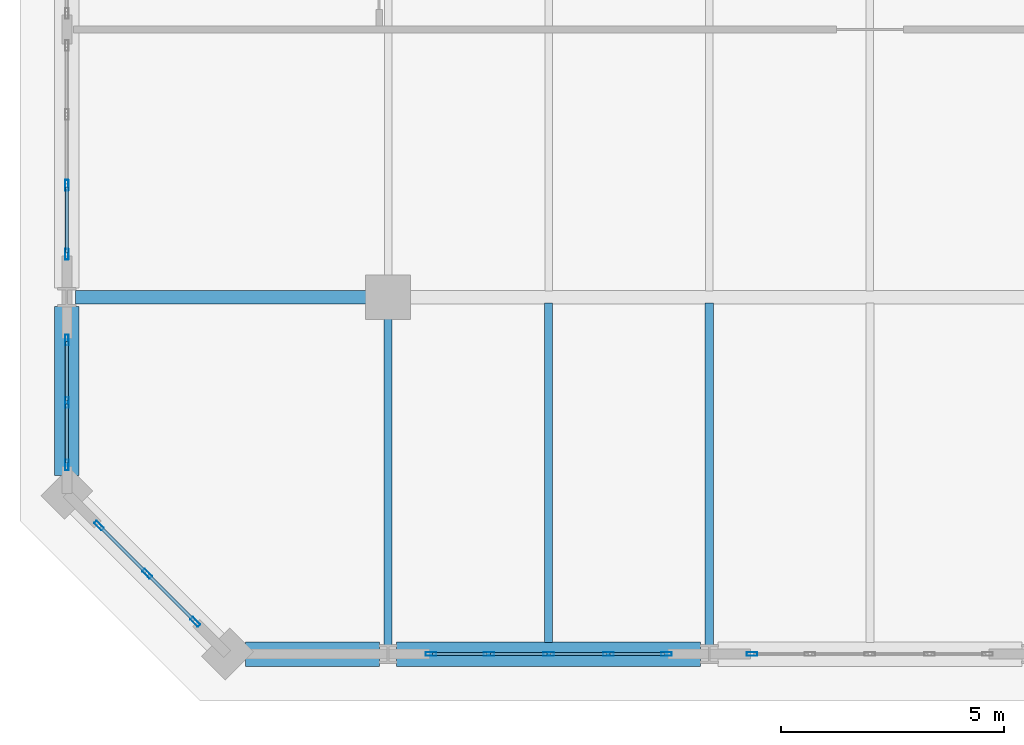
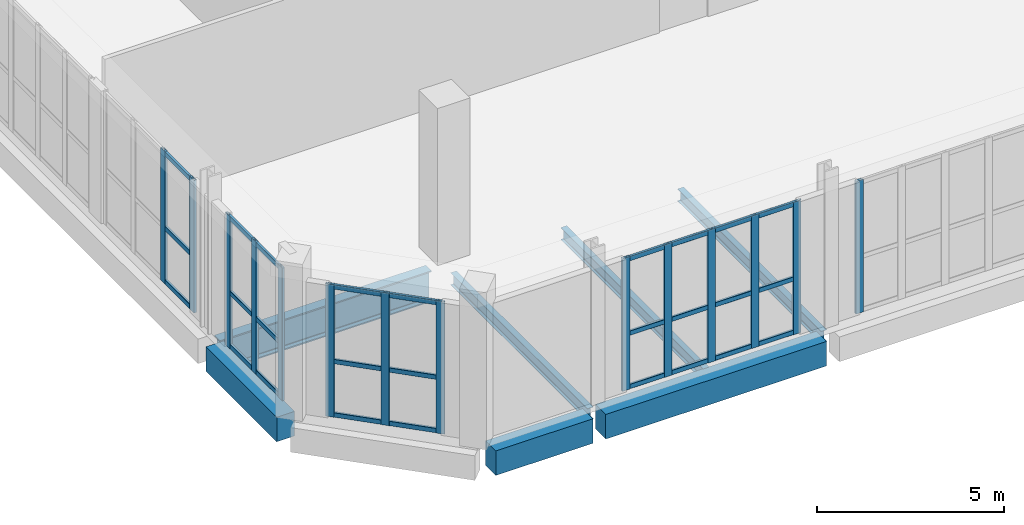
# One storey, part 2 of 26: 41 members, 7 beams, 5 elements without a shape of their own.
"""IFC4 building model written with IfcOpenShell, lengths in metres."""

import ifcopenshell
import ifcopenshell.guid

model = None  # the IFC model being written
_history = None  # IfcOwnerHistory: only IFC2X3 demands one
_inside = {}  # id of a spatial element -> (the spatial element, [elements in it])
_under = {}  # id of a project, library or spatial element -> (it, [spatial elements below it])
_declared = {}  # id of a project -> (the project, [libraries it declares])
_typed = {}  # id of a type object -> (the type object, [elements of that type])
_made_of = {}  # id of a material, layer set ... -> (it, [elements and type objects made of it])


def new_model(schema):
    """Start an empty IFC model of exactly this schema.

    Asked for "IFC4X3", IfcOpenShell would pick the latest addendum, in which some entities
    have other attributes; the version numbers below select the first issue.
    IFC2X3 requires an IfcOwnerHistory on every rooted entity: one is made here for all.
    """
    global model, _history
    if schema == "IFC4X3":
        model = ifcopenshell.file(schema_version=(4, 3, 0, 0))
    else:
        model = ifcopenshell.file(schema=schema)
    _inside.clear()
    _under.clear()
    _declared.clear()
    _typed.clear()
    _made_of.clear()
    _history = None
    if model.schema == "IFC2X3":
        org = make("IfcOrganization", Name="unknown")
        user = make(
            "IfcPersonAndOrganization",
            ThePerson=make("IfcPerson", FamilyName="unknown"),
            TheOrganization=org,
        )
        app = make(
            "IfcApplication",
            ApplicationDeveloper=org,
            Version="unknown",
            ApplicationFullName="unknown",
            ApplicationIdentifier="unknown",
        )
        _history = make(
            "IfcOwnerHistory",
            OwningUser=user,
            OwningApplication=app,
            ChangeAction="ADDED",
            CreationDate=0,
        )
    return model


def make(cls, **values):
    """One entity of the class cls with the attributes given. An attribute that is None is left unset."""
    return model.create_entity(
        cls, **{name: value for name, value in values.items() if value is not None}
    )


def rooted(cls, **values):
    """An entity with a GlobalId (a new one), such as an element, a storey or a relation."""
    return make(cls, GlobalId=ifcopenshell.guid.new(), OwnerHistory=_history, **values)


def si_unit(unit_type, name, prefix=None):
    """IfcSIUnit, for example si_unit("LENGTHUNIT", "METRE", prefix="MILLI")."""
    return make("IfcSIUnit", UnitType=unit_type, Prefix=prefix, Name=name)


def assignment(units):
    """IfcUnitAssignment: the units of a project."""
    return None if units is None else make("IfcUnitAssignment", Units=units)


def point(xyz):
    """IfcCartesianPoint."""
    return None if xyz is None else make("IfcCartesianPoint", Coordinates=xyz)


def direction(xyz):
    """IfcDirection."""
    return None if xyz is None else make("IfcDirection", DirectionRatios=xyz)


def frame(location, z_axis=None, x_axis=None):
    """IfcAxis2Placement3D, a coordinate frame: its origin and axes. An axis left out is left unset."""
    return make(
        "IfcAxis2Placement3D",
        Location=point(location),
        Axis=direction(z_axis),
        RefDirection=direction(x_axis),
    )


def frame_2d(location, x_axis=None):
    """IfcAxis2Placement2D, a coordinate frame in the plane: its origin and x axis."""
    return make(
        "IfcAxis2Placement2D", Location=point(location), RefDirection=direction(x_axis)
    )


def origin():
    """The frame at (0, 0, 0) with its axes left unset."""
    return frame((0.0, 0.0, 0.0))


def origin_2d():
    """The frame at (0, 0) in the plane with its x axis left unset."""
    return frame_2d((0.0, 0.0))


def place(relative_to, where):
    """IfcLocalPlacement: puts the frame where relative to a parent placement (None: the world)."""
    return make(
        "IfcLocalPlacement", PlacementRelTo=relative_to, RelativePlacement=where
    )


def context(
    kind, dimensions, precision=None, world=None, true_north=None, identifier=None
):
    """IfcGeometricRepresentationContext, for example the 3D "Model" context."""
    return make(
        "IfcGeometricRepresentationContext",
        ContextIdentifier=identifier,
        ContextType=kind,
        CoordinateSpaceDimension=dimensions,
        Precision=precision,
        WorldCoordinateSystem=world,
        TrueNorth=true_north,
    )


def subcontext(parent, identifier, kind, view, scale=None):
    """IfcGeometricRepresentationSubContext, for example "Body" below "Model"."""
    return make(
        "IfcGeometricRepresentationSubContext",
        ContextIdentifier=identifier,
        ContextType=kind,
        ParentContext=parent,
        TargetScale=scale,
        TargetView=view,
    )


def project(units=None, contexts=None):
    """IfcProject with its units and contexts."""
    return rooted(
        "IfcProject",
        Name="project",
        RepresentationContexts=contexts,
        UnitsInContext=assignment(units),
    )


def spatial(cls, under=None, at=None, **own):
    """A site, building, storey or space (cls), placed at a placement, below another one or the project."""
    s = rooted(cls, ObjectPlacement=at, **own)
    if under is not None:
        _under.setdefault(under.id(), (under, []))[1].append(s)
    return s


def profile(cls, at=None, kind="AREA", **sizes):
    """A parametric profile (cls). Its sizes go by their IFC names, for example OverallWidth=200.0."""
    return make(cls, ProfileType=kind, Position=at, **sizes)


def rectangle(**sizes):
    """IfcRectangleProfileDef."""
    return profile("IfcRectangleProfileDef", **sizes)


def hollow_rectangle(**sizes):
    """IfcRectangleHollowProfileDef."""
    return profile("IfcRectangleHollowProfileDef", **sizes)


def i_section(**sizes):
    """IfcIShapeProfileDef."""
    return profile("IfcIShapeProfileDef", **sizes)


def extrude(swept, where, along, depth):
    """IfcExtrudedAreaSolid: the profile swept, set in the frame where, extruded along a direction by depth."""
    return make(
        "IfcExtrudedAreaSolid",
        SweptArea=swept,
        Position=where,
        ExtrudedDirection=direction(along),
        Depth=depth,
    )


def shape(context_of_items, identifier, shape_type, items):
    """IfcShapeRepresentation: the items that make up one representation, for example the "Body"."""
    return make(
        "IfcShapeRepresentation",
        ContextOfItems=context_of_items,
        RepresentationIdentifier=identifier,
        RepresentationType=shape_type,
        Items=items,
    )


def material(Name=None, Category=None):
    """IfcMaterial."""
    return make("IfcMaterial", Name=Name, Category=Category)


def layer(
    of_material, thickness, ventilated=None, Name=None, Category=None, Priority=None
):
    """IfcMaterialLayer: one layer of a wall or slab, of a material (None: an air gap)."""
    return make(
        "IfcMaterialLayer",
        Material=of_material,
        LayerThickness=thickness,
        IsVentilated=ventilated,
        Name=Name,
        Category=Category,
        Priority=Priority,
    )


def layer_set(layers, Name=None):
    """IfcMaterialLayerSet."""
    return make("IfcMaterialLayerSet", MaterialLayers=layers, LayerSetName=Name)


def material_profile(
    of_material, cross_section, Name=None, Category=None, Priority=None
):
    """IfcMaterialProfile: a cross section and its material."""
    return make(
        "IfcMaterialProfile",
        Name=Name,
        Material=of_material,
        Profile=cross_section,
        Priority=Priority,
        Category=Category,
    )


def profile_set(profiles, Name=None, composite=None):
    """IfcMaterialProfileSet."""
    return make(
        "IfcMaterialProfileSet",
        Name=Name,
        MaterialProfiles=profiles,
        CompositeProfile=composite,
    )


def made_of(thing, what):
    """Note that an element or type object is made of a material, layer set ...; save() writes the relation."""
    if what is not None:
        _made_of.setdefault(what.id(), (what, []))[1].append(thing)
    return thing


def type_object(cls, material=None, **own):
    """A type object (cls), such as IfcWallType, which elements share."""
    return made_of(rooted(cls, **own), material)


def element(
    cls,
    number,
    at=None,
    inside=None,
    cuts=None,
    type_object=None,
    material=None,
    context=None,
    identifier="Body",
    shape_type=None,
    held_by="IfcProductDefinitionShape",
    body=None,
    shapes=None,
    **own,
):
    """One element of the class cls, such as IfcWall. Its Tag is "e" and its number.

    at: its placement. inside: the storey or other place that contains it. cuts: it is an
    opening in that element (IfcRelVoidsElement). A single representation is given by context,
    identifier, shape_type and body (its items); several are given by shapes. held_by: the class
    of the entity that holds the representations. save() writes the other relations.
    """
    e = rooted(cls, Tag="e%d" % number, ObjectPlacement=at, **own)
    if body is not None:
        shapes = [shape(context, identifier, shape_type, body)]
    if shapes is not None:
        e.Representation = make(held_by, Representations=shapes)
    if inside is not None:
        _inside.setdefault(inside.id(), (inside, []))[1].append(e)
    if cuts is not None:
        rooted(
            "IfcRelVoidsElement", RelatingBuildingElement=cuts, RelatedOpeningElement=e
        )
    if type_object is not None:
        _typed.setdefault(type_object.id(), (type_object, []))[1].append(e)
    return made_of(e, material)


def aggregate(whole, parts):
    """IfcRelAggregates: a whole, such as a stair, and the parts it consists of."""
    return rooted("IfcRelAggregates", RelatingObject=whole, RelatedObjects=parts)


def save(model, path):
    """Write the relations noted so far, then the file.

    IfcRelAggregates (storeys below a building ...), IfcRelContainedInSpatialStructure (elements
    in a storey), IfcRelDefinesByType, IfcRelAssociatesMaterial and IfcRelDeclares: one each for
    every whole, place, type object, material and project.
    """
    for whole, parts in _under.values():
        aggregate(whole, parts)
    for where, things in _inside.values():
        rooted(
            "IfcRelContainedInSpatialStructure",
            RelatedElements=things,
            RelatingStructure=where,
        )
    for kind, things in _typed.values():
        rooted("IfcRelDefinesByType", RelatedObjects=things, RelatingType=kind)
    for what, things in _made_of.values():
        rooted("IfcRelAssociatesMaterial", RelatedObjects=things, RelatingMaterial=what)
    for by, libraries in _declared.values():
        rooted("IfcRelDeclares", RelatingContext=by, RelatedDefinitions=libraries)
    model.write(path)


model = new_model("IFC4")

# Units and contexts
model_context = context("Model", 3, precision=1e-05, world=origin(), true_north=direction((0.0, 1.0)))
body_context = subcontext(model_context, "Body", "Model", "MODEL_VIEW")
ifc_project = project(units=[si_unit("LENGTHUNIT", "METRE"), si_unit("AREAUNIT", "SQUARE_METRE"), si_unit("VOLUMEUNIT", "CUBIC_METRE"), si_unit("PLANEANGLEUNIT", "RADIAN"), si_unit("MASSUNIT", "GRAM", prefix="KILO")], contexts=[model_context])

# Site, building, storey
site_placement = place(None, origin())
site = spatial("IfcSite", under=ifc_project, at=site_placement, CompositionType="ELEMENT")
building_placement = place(site_placement, origin())
building = spatial("IfcBuilding", under=site, at=building_placement, Name="Kaelvorn Grand Hotel", CompositionType="ELEMENT")
storey_placement = place(building_placement, frame((0.0, 0.0, 300.199951171875)))
storey = spatial("IfcBuildingStorey", under=building, at=storey_placement, Name="L73", CompositionType="ELEMENT", Elevation=300.199951171875)

# Beams
ifc_material_1 = material(Name="Steel S460", Category="steel")
ifc_material_profile_1 = material_profile(ifc_material_1, i_section(OverallWidth=0.302001953125, OverallDepth=1.008056640625, WebThickness=0.02099609375, FlangeThickness=0.0400390625, FilletRadius=0.024169921875, at=origin_2d()), Name="UB 1016x305x349")
ifc_profile_set_1 = profile_set([ifc_material_profile_1], Name="Steel S460")
beam_type_1 = type_object("IfcBeamType", Name="BM-G-UB1016-S460", PredefinedType="BEAM", material=ifc_profile_set_1)
beam_1_placement = place(storey_placement, frame((9.195068359375, 15.0, -0.884033203125), z_axis=(1.0, 0.0, 0.0), x_axis=(0.0, 1.0, 0.0)))
element("IfcBeam", 1, at=beam_1_placement, inside=storey, type_object=beam_type_1, Name="L73 Primary Spine Steel Girder G-15 01", PredefinedType="BEAM", context=body_context, shape_type="SweptSolid", body=[
    extrude(i_section(OverallWidth=0.302001953125, OverallDepth=1.008056640625, WebThickness=0.02099609375, FlangeThickness=0.0400390625, FilletRadius=0.024169921875, at=origin_2d()), origin(), (0.0, 0.0, 1.0), 6.52001953125),
])
ifc_material_2 = material(Name="Steel S355", Category="steel")
ifc_material_profile_2 = material_profile(ifc_material_2, i_section(OverallWidth=0.179931640625, OverallDepth=0.39990234375, WebThickness=0.008544921875, FlangeThickness=0.013427734375, FilletRadius=0.02099609375, at=origin_2d()), Name="IPE 400")
ifc_profile_set_2 = profile_set([ifc_material_profile_2], Name="Steel S355")
beam_type_2 = type_object("IfcBeamType", Name="BM-J-IPE400-S355", PredefinedType="JOIST", material=ifc_profile_set_2)
beam_2_placement = place(storey_placement, frame((16.199951171875, 7.205078125, -0.579833984375), z_axis=(0.0, 1.0, 0.0), x_axis=(-1.0, 0.0, 0.0)))
element("IfcBeam", 2, at=beam_2_placement, inside=storey, type_object=beam_type_2, Name="L73 Composite Floor Joist JS-05", PredefinedType="JOIST", context=body_context, shape_type="SweptSolid", body=[
    extrude(i_section(OverallWidth=0.179931640625, OverallDepth=0.39990234375, WebThickness=0.008544921875, FlangeThickness=0.013427734375, FilletRadius=0.02099609375, at=origin_2d()), origin(), (0.0, 0.0, 1.0), 7.309814453125),
])
beam_3_placement = place(storey_placement, frame((19.800048828125, 7.260009765625, -0.579833984375), z_axis=(0.0, 1.0, 0.0), x_axis=(-1.0, 0.0, 0.0)))
element("IfcBeam", 3, at=beam_3_placement, inside=storey, type_object=beam_type_2, Name="L73 Composite Floor Joist JS-06", PredefinedType="JOIST", context=body_context, shape_type="SweptSolid", body=[
    extrude(i_section(OverallWidth=0.179931640625, OverallDepth=0.39990234375, WebThickness=0.008544921875, FlangeThickness=0.013427734375, FilletRadius=0.02099609375, at=origin_2d()), origin(), (0.0, 0.0, 1.0), 7.60400390625),
])
beam_4_placement = place(storey_placement, frame((23.39990234375, 7.205078125, -0.579833984375), z_axis=(0.0, 1.0, 0.0), x_axis=(-1.0, 0.0, 0.0)))
element("IfcBeam", 4, at=beam_4_placement, inside=storey, type_object=beam_type_2, Name="L73 Composite Floor Joist JS-07", PredefinedType="JOIST", context=body_context, shape_type="SweptSolid", body=[
    extrude(i_section(OverallWidth=0.179931640625, OverallDepth=0.39990234375, WebThickness=0.008544921875, FlangeThickness=0.013427734375, FilletRadius=0.02099609375, at=origin_2d()), origin(), (0.0, 0.0, 1.0), 7.658935546875),
])
ifc_material_3 = material(Name="Concrete C50/60", Category="concrete")
ifc_material_profile_3 = material_profile(ifc_material_3, rectangle(XDim=0.550048828125, YDim=0.800048828125, at=origin_2d()), Name="RC SPANDREL 550x800")
ifc_profile_set_3 = profile_set([ifc_material_profile_3], Name="Concrete C50/60")
beam_type_3 = type_object("IfcBeamType", Name="BM-SP-550x800-C50", PredefinedType="SPANDREL", material=ifc_profile_set_3)
beam_5_placement = place(storey_placement, frame((13.0048828125, 7.0, -0.780029296875), z_axis=(1.0, 0.0, 0.0), x_axis=(0.0, 1.0, 0.0)))
element("IfcBeam", 5, at=beam_5_placement, inside=storey, type_object=beam_type_3, Name="L73 South Perimeter Spandrel 01", PredefinedType="SPANDREL", context=body_context, shape_type="SweptSolid", body=[
    extrude(rectangle(XDim=0.550048828125, YDim=0.800048828125, at=origin_2d()), origin(), (0.0, 0.0, 1.0), 3.0),
])
beam_6_placement = place(storey_placement, frame((16.39501953125, 7.0, -0.780029296875), z_axis=(1.0, 0.0, 0.0), x_axis=(0.0, 1.0, 0.0)))
element("IfcBeam", 6, at=beam_6_placement, inside=storey, type_object=beam_type_3, Name="L73 South Perimeter Spandrel 02", PredefinedType="SPANDREL", context=body_context, shape_type="SweptSolid", body=[
    extrude(rectangle(XDim=0.550048828125, YDim=0.800048828125, at=origin_2d()), origin(), (0.0, 0.0, 1.0), 6.81005859375),
])
beam_7_placement = place(storey_placement, frame((9.0, 11.0048828125, -0.780029296875), z_axis=(0.0, 1.0, 0.0), x_axis=(-1.0, 0.0, 0.0)))
element("IfcBeam", 7, at=beam_7_placement, inside=storey, type_object=beam_type_3, Name="L73 West Perimeter Spandrel 01", PredefinedType="SPANDREL", context=body_context, shape_type="SweptSolid", body=[
    extrude(rectangle(XDim=0.550048828125, YDim=0.800048828125, at=origin_2d()), origin(), (0.0, 0.0, 1.0), 3.7900390625),
])

# Curtain wall, members
ifc_material_4 = material(Name="Anodised Aluminium", Category="aluminium")
ifc_layer = layer(ifc_material_4, 0.239990234375)
ifc_layer_set = layer_set([ifc_layer], Name="Anodised Aluminium")
curtain_wall_type = type_object("IfcCurtainWallType", Name="CW-SYS5", PredefinedType="NOTDEFINED", material=ifc_layer_set)
curtain_wall_1_placement = place(storey_placement, origin())
curtain_wall_1 = element("IfcCurtainWall", 8, at=curtain_wall_1_placement, inside=storey, type_object=curtain_wall_type, Name="L73 Unitised Curtain Wall CW5 (CW-L73-S-01)", PredefinedType="NOTDEFINED")
ifc_material_profile_4 = material_profile(ifc_material_4, hollow_rectangle(XDim=0.080078125, YDim=0.239990234375, WallThickness=0.0048828125, InnerFilletRadius=0.0048828125, OuterFilletRadius=0.010009765625, at=origin_2d()), Name="ALU MULL 80x240")
ifc_profile_set_4 = profile_set([ifc_material_profile_4], Name="Anodised Aluminium")
member_type_1 = type_object("IfcMemberType", Name="CW-SYS5-MULL", PredefinedType="MULLION", material=ifc_profile_set_4)
member_1_placement = place(storey_placement, frame((17.159912109375, 7.0, 0.0), z_axis=(0.0, 0.0, 1.0), x_axis=(0.0, 1.0, 0.0)))
member_1 = element("IfcMember", 9, at=member_1_placement, type_object=member_type_1, Name="CW5 mullion 1", PredefinedType="MULLION", context=body_context, shape_type="SweptSolid", body=[
    extrude(hollow_rectangle(XDim=0.080078125, YDim=0.239990234375, WallThickness=0.0048828125, InnerFilletRadius=0.0048828125, OuterFilletRadius=0.010009765625, at=origin_2d()), origin(), (0.0, 0.0, 1.0), 4.320068359375),
])
member_2_placement = place(storey_placement, frame((18.4599609375, 7.0, 0.0), z_axis=(0.0, 0.0, 1.0), x_axis=(0.0, 1.0, 0.0)))
member_2 = element("IfcMember", 10, at=member_2_placement, type_object=member_type_1, Name="CW5 mullion 2", PredefinedType="MULLION", context=body_context, shape_type="SweptSolid", body=[
    extrude(hollow_rectangle(XDim=0.080078125, YDim=0.239990234375, WallThickness=0.0048828125, InnerFilletRadius=0.0048828125, OuterFilletRadius=0.010009765625, at=origin_2d()), origin(), (0.0, 0.0, 1.0), 4.320068359375),
])
member_3_placement = place(storey_placement, frame((19.800048828125, 7.0, 0.0), z_axis=(0.0, 0.0, 1.0), x_axis=(0.0, 1.0, 0.0)))
member_3 = element("IfcMember", 11, at=member_3_placement, type_object=member_type_1, Name="CW5 mullion 3", PredefinedType="MULLION", context=body_context, shape_type="SweptSolid", body=[
    extrude(hollow_rectangle(XDim=0.080078125, YDim=0.239990234375, WallThickness=0.0048828125, InnerFilletRadius=0.0048828125, OuterFilletRadius=0.010009765625, at=origin_2d()), origin(), (0.0, 0.0, 1.0), 4.320068359375),
])
member_4_placement = place(storey_placement, frame((21.139892578125, 7.0, 0.0), z_axis=(0.0, 0.0, 1.0), x_axis=(0.0, 1.0, 0.0)))
member_4 = element("IfcMember", 12, at=member_4_placement, type_object=member_type_1, Name="CW5 mullion 4", PredefinedType="MULLION", context=body_context, shape_type="SweptSolid", body=[
    extrude(hollow_rectangle(XDim=0.080078125, YDim=0.239990234375, WallThickness=0.0048828125, InnerFilletRadius=0.0048828125, OuterFilletRadius=0.010009765625, at=origin_2d()), origin(), (0.0, 0.0, 1.0), 4.320068359375),
])
member_5_placement = place(storey_placement, frame((22.43994140625, 7.0, 0.0), z_axis=(0.0, 0.0, 1.0), x_axis=(0.0, 1.0, 0.0)))
member_5 = element("IfcMember", 13, at=member_5_placement, type_object=member_type_1, Name="CW5 mullion 5", PredefinedType="MULLION", context=body_context, shape_type="SweptSolid", body=[
    extrude(hollow_rectangle(XDim=0.080078125, YDim=0.239990234375, WallThickness=0.0048828125, InnerFilletRadius=0.0048828125, OuterFilletRadius=0.010009765625, at=origin_2d()), origin(), (0.0, 0.0, 1.0), 4.320068359375),
])

# Curtain wall, member
curtain_wall_2_placement = place(storey_placement, origin())
curtain_wall_2 = element("IfcCurtainWall", 14, at=curtain_wall_2_placement, inside=storey, type_object=curtain_wall_type, Name="L73 Unitised Curtain Wall CW5 (CW-L73-S-02)", PredefinedType="NOTDEFINED")
member_6_placement = place(storey_placement, frame((24.360107421875, 7.0, 0.0), z_axis=(0.0, 0.0, 1.0), x_axis=(0.0, 1.0, 0.0)))
member_6 = element("IfcMember", 15, at=member_6_placement, type_object=member_type_1, Name="CW5 mullion 1", PredefinedType="MULLION", context=body_context, shape_type="SweptSolid", body=[
    extrude(hollow_rectangle(XDim=0.080078125, YDim=0.239990234375, WallThickness=0.0048828125, InnerFilletRadius=0.0048828125, OuterFilletRadius=0.010009765625, at=origin_2d()), origin(), (0.0, 0.0, 1.0), 4.320068359375),
])
aggregate(curtain_wall_2, [member_6])

# Curtain wall, members
curtain_wall_3_placement = place(storey_placement, origin())
curtain_wall_3 = element("IfcCurtainWall", 16, at=curtain_wall_3_placement, inside=storey, type_object=curtain_wall_type, Name="L73 Unitised Curtain Wall CW5 (CW-L73-W-02)", PredefinedType="NOTDEFINED")
member_7_placement = place(storey_placement, frame((9.0, 17.506591796875, 0.0), z_axis=(0.0, 0.0, 1.0), x_axis=(1.0, 0.0, 0.0)))
member_7 = element("IfcMember", 17, at=member_7_placement, type_object=member_type_1, Name="CW5 mullion 3", PredefinedType="MULLION", context=body_context, shape_type="SweptSolid", body=[
    extrude(hollow_rectangle(XDim=0.080078125, YDim=0.239990234375, WallThickness=0.0048828125, InnerFilletRadius=0.0048828125, OuterFilletRadius=0.010009765625, at=origin_2d()), origin(), (0.0, 0.0, 1.0), 4.320068359375),
])
member_8_placement = place(storey_placement, frame((9.0, 15.9599609375, 0.0), z_axis=(0.0, 0.0, 1.0), x_axis=(1.0, 0.0, 0.0)))
member_8 = element("IfcMember", 18, at=member_8_placement, type_object=member_type_1, Name="CW5 mullion 4", PredefinedType="MULLION", context=body_context, shape_type="SweptSolid", body=[
    extrude(hollow_rectangle(XDim=0.080078125, YDim=0.239990234375, WallThickness=0.0048828125, InnerFilletRadius=0.0048828125, OuterFilletRadius=0.010009765625, at=origin_2d()), origin(), (0.0, 0.0, 1.0), 4.320068359375),
])

curtain_wall_4_placement = place(storey_placement, origin())
curtain_wall_4 = element("IfcCurtainWall", 19, at=curtain_wall_4_placement, inside=storey, type_object=curtain_wall_type, Name="L73 Unitised Curtain Wall CW5 (CW-L73-W-01)", PredefinedType="NOTDEFINED")
member_9_placement = place(storey_placement, frame((9.0, 14.0400390625, 0.0), z_axis=(0.0, 0.0, 1.0), x_axis=(1.0, 0.0, 0.0)))
member_9 = element("IfcMember", 20, at=member_9_placement, type_object=member_type_1, Name="CW5 mullion 1", PredefinedType="MULLION", context=body_context, shape_type="SweptSolid", body=[
    extrude(hollow_rectangle(XDim=0.080078125, YDim=0.239990234375, WallThickness=0.0048828125, InnerFilletRadius=0.0048828125, OuterFilletRadius=0.010009765625, at=origin_2d()), origin(), (0.0, 0.0, 1.0), 4.320068359375),
])
member_10_placement = place(storey_placement, frame((9.0, 12.639892578125, 0.0), z_axis=(0.0, 0.0, 1.0), x_axis=(1.0, 0.0, 0.0)))
member_10 = element("IfcMember", 21, at=member_10_placement, type_object=member_type_1, Name="CW5 mullion 2", PredefinedType="MULLION", context=body_context, shape_type="SweptSolid", body=[
    extrude(hollow_rectangle(XDim=0.080078125, YDim=0.239990234375, WallThickness=0.0048828125, InnerFilletRadius=0.0048828125, OuterFilletRadius=0.010009765625, at=origin_2d()), origin(), (0.0, 0.0, 1.0), 4.320068359375),
])
member_11_placement = place(storey_placement, frame((9.0, 11.239990234375, 0.0), z_axis=(0.0, 0.0, 1.0), x_axis=(1.0, 0.0, 0.0)))
member_11 = element("IfcMember", 22, at=member_11_placement, type_object=member_type_1, Name="CW5 mullion 3", PredefinedType="MULLION", context=body_context, shape_type="SweptSolid", body=[
    extrude(hollow_rectangle(XDim=0.080078125, YDim=0.239990234375, WallThickness=0.0048828125, InnerFilletRadius=0.0048828125, OuterFilletRadius=0.010009765625, at=origin_2d()), origin(), (0.0, 0.0, 1.0), 4.320068359375),
])

curtain_wall_5_placement = place(storey_placement, origin())
curtain_wall_5 = element("IfcCurtainWall", 23, at=curtain_wall_5_placement, inside=storey, type_object=curtain_wall_type, Name="L73 Unitised Curtain Wall CW5 (CW-L73-SW)", PredefinedType="NOTDEFINED")
member_12_placement = place(storey_placement, frame((9.72119140625, 9.878662109375, 0.0), z_axis=(0.0, 0.0, 1.0), x_axis=(0.707106781187, 0.707106781187, 0.0)))
member_12 = element("IfcMember", 24, at=member_12_placement, type_object=member_type_1, Name="CW5 mullion 1", PredefinedType="MULLION", context=body_context, shape_type="SweptSolid", body=[
    extrude(hollow_rectangle(XDim=0.080078125, YDim=0.239990234375, WallThickness=0.0048828125, InnerFilletRadius=0.0048828125, OuterFilletRadius=0.010009765625, at=origin_2d()), origin(), (0.0, 0.0, 1.0), 4.320068359375),
])
member_13_placement = place(storey_placement, frame((10.800048828125, 8.800048828125, 0.0), z_axis=(0.0, 0.0, 1.0), x_axis=(0.707106781187, 0.707106781187, 0.0)))
member_13 = element("IfcMember", 25, at=member_13_placement, type_object=member_type_1, Name="CW5 mullion 2", PredefinedType="MULLION", context=body_context, shape_type="SweptSolid", body=[
    extrude(hollow_rectangle(XDim=0.080078125, YDim=0.239990234375, WallThickness=0.0048828125, InnerFilletRadius=0.0048828125, OuterFilletRadius=0.010009765625, at=origin_2d()), origin(), (0.0, 0.0, 1.0), 4.320068359375),
])
member_14_placement = place(storey_placement, frame((11.878662109375, 7.72119140625, 0.0), z_axis=(0.0, 0.0, 1.0), x_axis=(0.707106781187, 0.707106781187, 0.0)))
member_14 = element("IfcMember", 26, at=member_14_placement, type_object=member_type_1, Name="CW5 mullion 3", PredefinedType="MULLION", context=body_context, shape_type="SweptSolid", body=[
    extrude(hollow_rectangle(XDim=0.080078125, YDim=0.239990234375, WallThickness=0.0048828125, InnerFilletRadius=0.0048828125, OuterFilletRadius=0.010009765625, at=origin_2d()), origin(), (0.0, 0.0, 1.0), 4.320068359375),
])

# Member
ifc_material_profile_5 = material_profile(ifc_material_4, hollow_rectangle(XDim=0.074951171875, YDim=0.14990234375, WallThickness=0.00390625, InnerFilletRadius=0.00390625, OuterFilletRadius=0.008056640625, at=origin_2d()), Name="ALU TRAN 75x150")
ifc_profile_set_5 = profile_set([ifc_material_profile_5], Name="Anodised Aluminium")
member_type_2 = type_object("IfcMemberType", Name="CW-SYS5-TRAN", PredefinedType="NOTDEFINED", material=ifc_profile_set_5)
member_15_placement = place(storey_placement, frame((17.199951171875, 7.0, 0.074951171875), z_axis=(1.0, 0.0, 0.0), x_axis=(0.0, 1.0, 0.0)))
member_15 = element("IfcMember", 27, at=member_15_placement, type_object=member_type_2, Name="CW5 transom 1.1", ObjectType="TRANSOM", PredefinedType="USERDEFINED", context=body_context, shape_type="SweptSolid", body=[
    extrude(hollow_rectangle(XDim=0.074951171875, YDim=0.14990234375, WallThickness=0.00390625, InnerFilletRadius=0.00390625, OuterFilletRadius=0.008056640625, at=origin_2d()), origin(), (0.0, 0.0, 1.0), 1.219970703125),
])

member_16_placement = place(storey_placement, frame((17.199951171875, 7.0, 1.814453125), z_axis=(1.0, 0.0, 0.0), x_axis=(0.0, 1.0, 0.0)))
member_16 = element("IfcMember", 28, at=member_16_placement, type_object=member_type_2, Name="CW5 transom 1.2", ObjectType="TRANSOM", PredefinedType="USERDEFINED", context=body_context, shape_type="SweptSolid", body=[
    extrude(hollow_rectangle(XDim=0.074951171875, YDim=0.14990234375, WallThickness=0.00390625, InnerFilletRadius=0.00390625, OuterFilletRadius=0.008056640625, at=origin_2d()), origin(), (0.0, 0.0, 1.0), 1.219970703125),
])

member_17_placement = place(storey_placement, frame((17.199951171875, 7.0, 4.2451171875), z_axis=(1.0, 0.0, 0.0), x_axis=(0.0, 1.0, 0.0)))
member_17 = element("IfcMember", 29, at=member_17_placement, type_object=member_type_2, Name="CW5 transom 1.3", ObjectType="TRANSOM", PredefinedType="USERDEFINED", context=body_context, shape_type="SweptSolid", body=[
    extrude(hollow_rectangle(XDim=0.074951171875, YDim=0.14990234375, WallThickness=0.00390625, InnerFilletRadius=0.00390625, OuterFilletRadius=0.008056640625, at=origin_2d()), origin(), (0.0, 0.0, 1.0), 1.219970703125),
])

member_18_placement = place(storey_placement, frame((18.5, 7.0, 0.074951171875), z_axis=(1.0, 0.0, 0.0), x_axis=(0.0, 1.0, 0.0)))
member_18 = element("IfcMember", 30, at=member_18_placement, type_object=member_type_2, Name="CW5 transom 2.1", ObjectType="TRANSOM", PredefinedType="USERDEFINED", context=body_context, shape_type="SweptSolid", body=[
    extrude(hollow_rectangle(XDim=0.074951171875, YDim=0.14990234375, WallThickness=0.00390625, InnerFilletRadius=0.00390625, OuterFilletRadius=0.008056640625, at=origin_2d()), origin(), (0.0, 0.0, 1.0), 1.260009765625),
])

member_19_placement = place(storey_placement, frame((18.5, 7.0, 1.814453125), z_axis=(1.0, 0.0, 0.0), x_axis=(0.0, 1.0, 0.0)))
member_19 = element("IfcMember", 31, at=member_19_placement, type_object=member_type_2, Name="CW5 transom 2.2", ObjectType="TRANSOM", PredefinedType="USERDEFINED", context=body_context, shape_type="SweptSolid", body=[
    extrude(hollow_rectangle(XDim=0.074951171875, YDim=0.14990234375, WallThickness=0.00390625, InnerFilletRadius=0.00390625, OuterFilletRadius=0.008056640625, at=origin_2d()), origin(), (0.0, 0.0, 1.0), 1.260009765625),
])

member_20_placement = place(storey_placement, frame((18.5, 7.0, 4.2451171875), z_axis=(1.0, 0.0, 0.0), x_axis=(0.0, 1.0, 0.0)))
member_20 = element("IfcMember", 32, at=member_20_placement, type_object=member_type_2, Name="CW5 transom 2.3", ObjectType="TRANSOM", PredefinedType="USERDEFINED", context=body_context, shape_type="SweptSolid", body=[
    extrude(hollow_rectangle(XDim=0.074951171875, YDim=0.14990234375, WallThickness=0.00390625, InnerFilletRadius=0.00390625, OuterFilletRadius=0.008056640625, at=origin_2d()), origin(), (0.0, 0.0, 1.0), 1.260009765625),
])

member_21_placement = place(storey_placement, frame((19.840087890625, 7.0, 0.074951171875), z_axis=(1.0, 0.0, 0.0), x_axis=(0.0, 1.0, 0.0)))
member_21 = element("IfcMember", 33, at=member_21_placement, type_object=member_type_2, Name="CW5 transom 3.1", ObjectType="TRANSOM", PredefinedType="USERDEFINED", context=body_context, shape_type="SweptSolid", body=[
    extrude(hollow_rectangle(XDim=0.074951171875, YDim=0.14990234375, WallThickness=0.00390625, InnerFilletRadius=0.00390625, OuterFilletRadius=0.008056640625, at=origin_2d()), origin(), (0.0, 0.0, 1.0), 1.260009765625),
])

member_22_placement = place(storey_placement, frame((19.840087890625, 7.0, 1.814453125), z_axis=(1.0, 0.0, 0.0), x_axis=(0.0, 1.0, 0.0)))
member_22 = element("IfcMember", 34, at=member_22_placement, type_object=member_type_2, Name="CW5 transom 3.2", ObjectType="TRANSOM", PredefinedType="USERDEFINED", context=body_context, shape_type="SweptSolid", body=[
    extrude(hollow_rectangle(XDim=0.074951171875, YDim=0.14990234375, WallThickness=0.00390625, InnerFilletRadius=0.00390625, OuterFilletRadius=0.008056640625, at=origin_2d()), origin(), (0.0, 0.0, 1.0), 1.260009765625),
])

member_23_placement = place(storey_placement, frame((19.840087890625, 7.0, 4.2451171875), z_axis=(1.0, 0.0, 0.0), x_axis=(0.0, 1.0, 0.0)))
member_23 = element("IfcMember", 35, at=member_23_placement, type_object=member_type_2, Name="CW5 transom 3.3", ObjectType="TRANSOM", PredefinedType="USERDEFINED", context=body_context, shape_type="SweptSolid", body=[
    extrude(hollow_rectangle(XDim=0.074951171875, YDim=0.14990234375, WallThickness=0.00390625, InnerFilletRadius=0.00390625, OuterFilletRadius=0.008056640625, at=origin_2d()), origin(), (0.0, 0.0, 1.0), 1.260009765625),
])

member_24_placement = place(storey_placement, frame((21.179931640625, 7.0, 0.074951171875), z_axis=(1.0, 0.0, 0.0), x_axis=(0.0, 1.0, 0.0)))
member_24 = element("IfcMember", 36, at=member_24_placement, type_object=member_type_2, Name="CW5 transom 4.1", ObjectType="TRANSOM", PredefinedType="USERDEFINED", context=body_context, shape_type="SweptSolid", body=[
    extrude(hollow_rectangle(XDim=0.074951171875, YDim=0.14990234375, WallThickness=0.00390625, InnerFilletRadius=0.00390625, OuterFilletRadius=0.008056640625, at=origin_2d()), origin(), (0.0, 0.0, 1.0), 1.219970703125),
])

member_25_placement = place(storey_placement, frame((21.179931640625, 7.0, 1.814453125), z_axis=(1.0, 0.0, 0.0), x_axis=(0.0, 1.0, 0.0)))
member_25 = element("IfcMember", 37, at=member_25_placement, type_object=member_type_2, Name="CW5 transom 4.2", ObjectType="TRANSOM", PredefinedType="USERDEFINED", context=body_context, shape_type="SweptSolid", body=[
    extrude(hollow_rectangle(XDim=0.074951171875, YDim=0.14990234375, WallThickness=0.00390625, InnerFilletRadius=0.00390625, OuterFilletRadius=0.008056640625, at=origin_2d()), origin(), (0.0, 0.0, 1.0), 1.219970703125),
])

member_26_placement = place(storey_placement, frame((21.179931640625, 7.0, 4.2451171875), z_axis=(1.0, 0.0, 0.0), x_axis=(0.0, 1.0, 0.0)))
member_26 = element("IfcMember", 38, at=member_26_placement, type_object=member_type_2, Name="CW5 transom 4.3", ObjectType="TRANSOM", PredefinedType="USERDEFINED", context=body_context, shape_type="SweptSolid", body=[
    extrude(hollow_rectangle(XDim=0.074951171875, YDim=0.14990234375, WallThickness=0.00390625, InnerFilletRadius=0.00390625, OuterFilletRadius=0.008056640625, at=origin_2d()), origin(), (0.0, 0.0, 1.0), 1.219970703125),
])

aggregate(curtain_wall_1, [member_1, member_2, member_3, member_4, member_5, member_15, member_16, member_17, member_18, member_19, member_20, member_21, member_22, member_23, member_24, member_25, member_26])

member_27_placement = place(storey_placement, frame((9.0, 17.466552734375, 0.074951171875), z_axis=(0.0, -1.0, 0.0), x_axis=(1.0, 0.0, 0.0)))
member_27 = element("IfcMember", 39, at=member_27_placement, type_object=member_type_2, Name="CW5 transom 3.1", ObjectType="TRANSOM", PredefinedType="USERDEFINED", context=body_context, shape_type="SweptSolid", body=[
    extrude(hollow_rectangle(XDim=0.074951171875, YDim=0.14990234375, WallThickness=0.00390625, InnerFilletRadius=0.00390625, OuterFilletRadius=0.008056640625, at=origin_2d()), origin(), (0.0, 0.0, 1.0), 1.466552734375),
])

member_28_placement = place(storey_placement, frame((9.0, 17.466552734375, 1.814453125), z_axis=(0.0, -1.0, 0.0), x_axis=(1.0, 0.0, 0.0)))
member_28 = element("IfcMember", 40, at=member_28_placement, type_object=member_type_2, Name="CW5 transom 3.2", ObjectType="TRANSOM", PredefinedType="USERDEFINED", context=body_context, shape_type="SweptSolid", body=[
    extrude(hollow_rectangle(XDim=0.074951171875, YDim=0.14990234375, WallThickness=0.00390625, InnerFilletRadius=0.00390625, OuterFilletRadius=0.008056640625, at=origin_2d()), origin(), (0.0, 0.0, 1.0), 1.466552734375),
])

member_29_placement = place(storey_placement, frame((9.0, 17.466552734375, 4.2451171875), z_axis=(0.0, -1.0, 0.0), x_axis=(1.0, 0.0, 0.0)))
member_29 = element("IfcMember", 41, at=member_29_placement, type_object=member_type_2, Name="CW5 transom 3.3", ObjectType="TRANSOM", PredefinedType="USERDEFINED", context=body_context, shape_type="SweptSolid", body=[
    extrude(hollow_rectangle(XDim=0.074951171875, YDim=0.14990234375, WallThickness=0.00390625, InnerFilletRadius=0.00390625, OuterFilletRadius=0.008056640625, at=origin_2d()), origin(), (0.0, 0.0, 1.0), 1.466552734375),
])

aggregate(curtain_wall_3, [member_7, member_8, member_27, member_28, member_29])

member_30_placement = place(storey_placement, frame((9.0, 14.0, 0.074951171875), z_axis=(0.0, -1.0, 0.0), x_axis=(1.0, 0.0, 0.0)))
member_30 = element("IfcMember", 42, at=member_30_placement, type_object=member_type_2, Name="CW5 transom 1.1", ObjectType="TRANSOM", PredefinedType="USERDEFINED", context=body_context, shape_type="SweptSolid", body=[
    extrude(hollow_rectangle(XDim=0.074951171875, YDim=0.14990234375, WallThickness=0.00390625, InnerFilletRadius=0.00390625, OuterFilletRadius=0.008056640625, at=origin_2d()), origin(), (0.0, 0.0, 1.0), 1.320068359375),
])

member_31_placement = place(storey_placement, frame((9.0, 14.0, 1.814453125), z_axis=(0.0, -1.0, 0.0), x_axis=(1.0, 0.0, 0.0)))
member_31 = element("IfcMember", 43, at=member_31_placement, type_object=member_type_2, Name="CW5 transom 1.2", ObjectType="TRANSOM", PredefinedType="USERDEFINED", context=body_context, shape_type="SweptSolid", body=[
    extrude(hollow_rectangle(XDim=0.074951171875, YDim=0.14990234375, WallThickness=0.00390625, InnerFilletRadius=0.00390625, OuterFilletRadius=0.008056640625, at=origin_2d()), origin(), (0.0, 0.0, 1.0), 1.320068359375),
])

member_32_placement = place(storey_placement, frame((9.0, 14.0, 4.2451171875), z_axis=(0.0, -1.0, 0.0), x_axis=(1.0, 0.0, 0.0)))
member_32 = element("IfcMember", 44, at=member_32_placement, type_object=member_type_2, Name="CW5 transom 1.3", ObjectType="TRANSOM", PredefinedType="USERDEFINED", context=body_context, shape_type="SweptSolid", body=[
    extrude(hollow_rectangle(XDim=0.074951171875, YDim=0.14990234375, WallThickness=0.00390625, InnerFilletRadius=0.00390625, OuterFilletRadius=0.008056640625, at=origin_2d()), origin(), (0.0, 0.0, 1.0), 1.320068359375),
])

member_33_placement = place(storey_placement, frame((9.0, 12.60009765625, 0.074951171875), z_axis=(0.0, -1.0, 0.0), x_axis=(1.0, 0.0, 0.0)))
member_33 = element("IfcMember", 45, at=member_33_placement, type_object=member_type_2, Name="CW5 transom 2.1", ObjectType="TRANSOM", PredefinedType="USERDEFINED", context=body_context, shape_type="SweptSolid", body=[
    extrude(hollow_rectangle(XDim=0.074951171875, YDim=0.14990234375, WallThickness=0.00390625, InnerFilletRadius=0.00390625, OuterFilletRadius=0.008056640625, at=origin_2d()), origin(), (0.0, 0.0, 1.0), 1.320068359375),
])

member_34_placement = place(storey_placement, frame((9.0, 12.60009765625, 1.814453125), z_axis=(0.0, -1.0, 0.0), x_axis=(1.0, 0.0, 0.0)))
member_34 = element("IfcMember", 46, at=member_34_placement, type_object=member_type_2, Name="CW5 transom 2.2", ObjectType="TRANSOM", PredefinedType="USERDEFINED", context=body_context, shape_type="SweptSolid", body=[
    extrude(hollow_rectangle(XDim=0.074951171875, YDim=0.14990234375, WallThickness=0.00390625, InnerFilletRadius=0.00390625, OuterFilletRadius=0.008056640625, at=origin_2d()), origin(), (0.0, 0.0, 1.0), 1.320068359375),
])

member_35_placement = place(storey_placement, frame((9.0, 12.60009765625, 4.2451171875), z_axis=(0.0, -1.0, 0.0), x_axis=(1.0, 0.0, 0.0)))
member_35 = element("IfcMember", 47, at=member_35_placement, type_object=member_type_2, Name="CW5 transom 2.3", ObjectType="TRANSOM", PredefinedType="USERDEFINED", context=body_context, shape_type="SweptSolid", body=[
    extrude(hollow_rectangle(XDim=0.074951171875, YDim=0.14990234375, WallThickness=0.00390625, InnerFilletRadius=0.00390625, OuterFilletRadius=0.008056640625, at=origin_2d()), origin(), (0.0, 0.0, 1.0), 1.320068359375),
])

aggregate(curtain_wall_4, [member_9, member_10, member_11, member_30, member_31, member_32, member_33, member_34, member_35])

member_36_placement = place(storey_placement, frame((9.74951171875, 9.8505859375, 0.074951171875), z_axis=(0.707106781187, -0.707106781187, 0.0), x_axis=(0.707106781187, 0.707106781187, 0.0)))
member_36 = element("IfcMember", 48, at=member_36_placement, type_object=member_type_2, Name="CW5 transom 1.1", ObjectType="TRANSOM", PredefinedType="USERDEFINED", context=body_context, shape_type="SweptSolid", body=[
    extrude(hollow_rectangle(XDim=0.074951171875, YDim=0.14990234375, WallThickness=0.00390625, InnerFilletRadius=0.00390625, OuterFilletRadius=0.008056640625, at=origin_2d()), origin(), (0.0, 0.0, 1.0), 1.445556640625),
])

member_37_placement = place(storey_placement, frame((9.74951171875, 9.8505859375, 1.814453125), z_axis=(0.707106781187, -0.707106781187, 0.0), x_axis=(0.707106781187, 0.707106781187, 0.0)))
member_37 = element("IfcMember", 49, at=member_37_placement, type_object=member_type_2, Name="CW5 transom 1.2", ObjectType="TRANSOM", PredefinedType="USERDEFINED", context=body_context, shape_type="SweptSolid", body=[
    extrude(hollow_rectangle(XDim=0.074951171875, YDim=0.14990234375, WallThickness=0.00390625, InnerFilletRadius=0.00390625, OuterFilletRadius=0.008056640625, at=origin_2d()), origin(), (0.0, 0.0, 1.0), 1.445556640625),
])

member_38_placement = place(storey_placement, frame((9.74951171875, 9.8505859375, 4.2451171875), z_axis=(0.707106781187, -0.707106781187, 0.0), x_axis=(0.707106781187, 0.707106781187, 0.0)))
member_38 = element("IfcMember", 50, at=member_38_placement, type_object=member_type_2, Name="CW5 transom 1.3", ObjectType="TRANSOM", PredefinedType="USERDEFINED", context=body_context, shape_type="SweptSolid", body=[
    extrude(hollow_rectangle(XDim=0.074951171875, YDim=0.14990234375, WallThickness=0.00390625, InnerFilletRadius=0.00390625, OuterFilletRadius=0.008056640625, at=origin_2d()), origin(), (0.0, 0.0, 1.0), 1.445556640625),
])

member_39_placement = place(storey_placement, frame((10.828369140625, 8.771728515625, 0.074951171875), z_axis=(0.707106781187, -0.707106781187, 0.0), x_axis=(0.707106781187, 0.707106781187, 0.0)))
member_39 = element("IfcMember", 51, at=member_39_placement, type_object=member_type_2, Name="CW5 transom 2.1", ObjectType="TRANSOM", PredefinedType="USERDEFINED", context=body_context, shape_type="SweptSolid", body=[
    extrude(hollow_rectangle(XDim=0.074951171875, YDim=0.14990234375, WallThickness=0.00390625, InnerFilletRadius=0.00390625, OuterFilletRadius=0.008056640625, at=origin_2d()), origin(), (0.0, 0.0, 1.0), 1.445556640625),
])

member_40_placement = place(storey_placement, frame((10.828369140625, 8.771728515625, 1.814453125), z_axis=(0.707106781187, -0.707106781187, 0.0), x_axis=(0.707106781187, 0.707106781187, 0.0)))
member_40 = element("IfcMember", 52, at=member_40_placement, type_object=member_type_2, Name="CW5 transom 2.2", ObjectType="TRANSOM", PredefinedType="USERDEFINED", context=body_context, shape_type="SweptSolid", body=[
    extrude(hollow_rectangle(XDim=0.074951171875, YDim=0.14990234375, WallThickness=0.00390625, InnerFilletRadius=0.00390625, OuterFilletRadius=0.008056640625, at=origin_2d()), origin(), (0.0, 0.0, 1.0), 1.445556640625),
])

member_41_placement = place(storey_placement, frame((10.828369140625, 8.771728515625, 4.2451171875), z_axis=(0.707106781187, -0.707106781187, 0.0), x_axis=(0.707106781187, 0.707106781187, 0.0)))
member_41 = element("IfcMember", 53, at=member_41_placement, type_object=member_type_2, Name="CW5 transom 2.3", ObjectType="TRANSOM", PredefinedType="USERDEFINED", context=body_context, shape_type="SweptSolid", body=[
    extrude(hollow_rectangle(XDim=0.074951171875, YDim=0.14990234375, WallThickness=0.00390625, InnerFilletRadius=0.00390625, OuterFilletRadius=0.008056640625, at=origin_2d()), origin(), (0.0, 0.0, 1.0), 1.445556640625),
])

aggregate(curtain_wall_5, [member_12, member_13, member_14, member_36, member_37, member_38, member_39, member_40, member_41])

save(model, "model.ifc")
